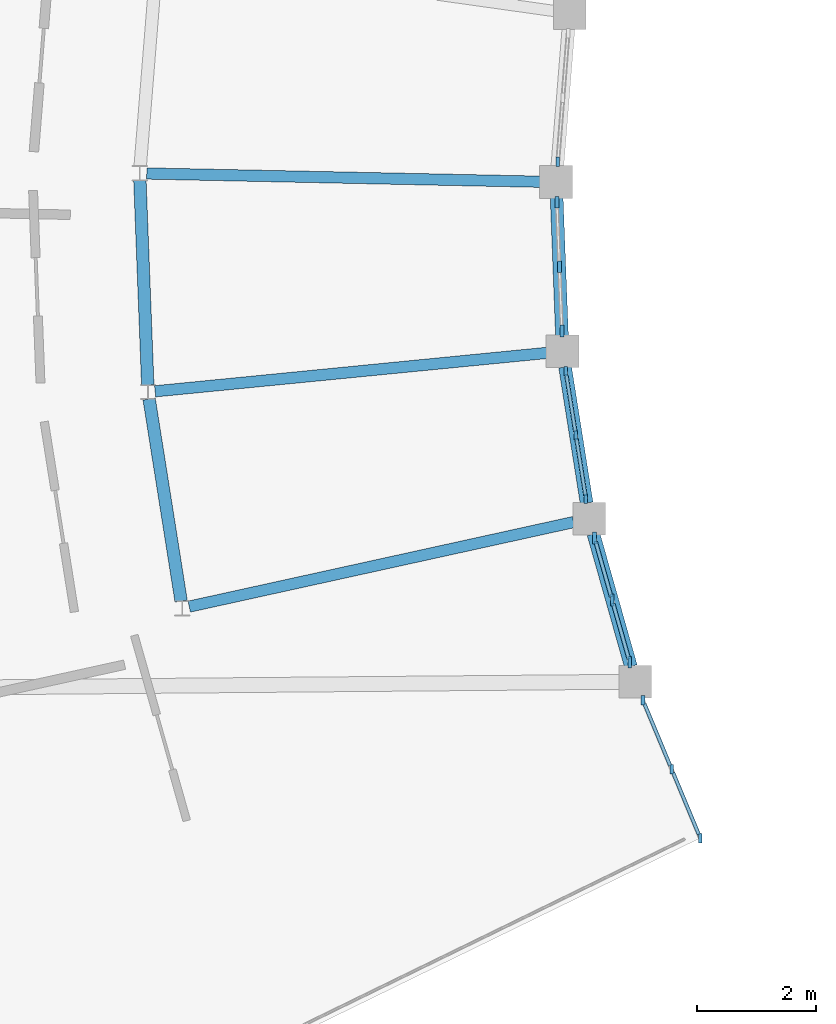
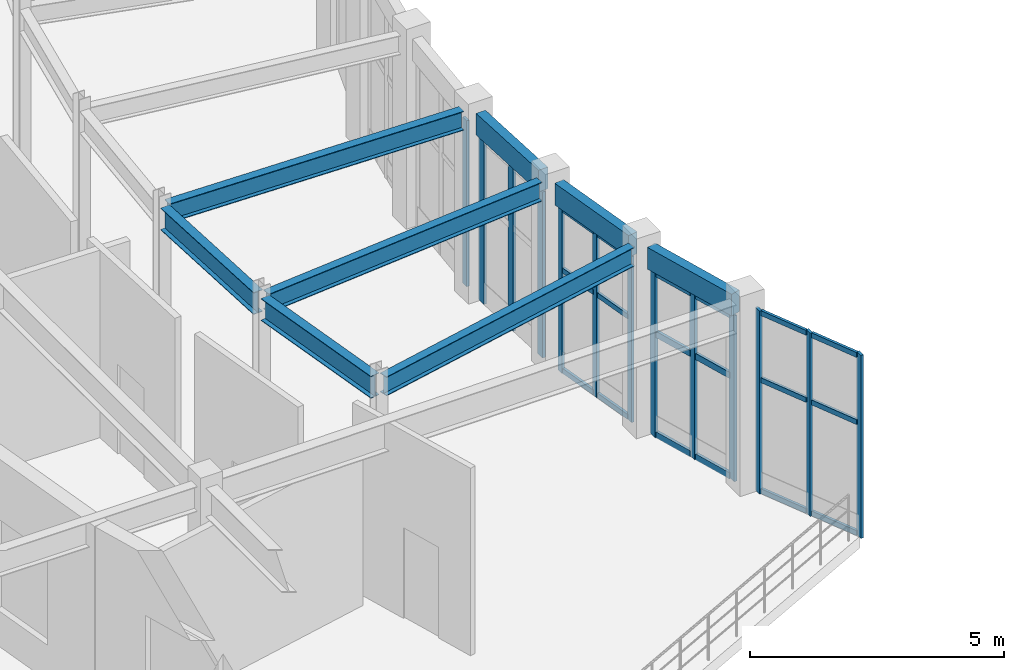
# One storey, part 32 of 144: 31 members, 8 beams, 5 elements without a shape of their own.
"""IFC4 building model written with IfcOpenShell, lengths in metres."""

from ifc_helpers import new_model, si_unit, direction, frame, origin, origin_2d, place, context, subcontext, project, spatial, rectangle, i_section, extrude, material, material_profile, profile_set, type_object, element, aggregate, save


model = new_model("IFC4")

# Units and contexts
model_context = context("Model", 3, precision=1e-05, world=origin(), true_north=direction((0.0, 1.0)))
body_context = subcontext(model_context, "Body", "Model", "MODEL_VIEW")
ifc_project = project(units=[si_unit("LENGTHUNIT", "METRE"), si_unit("AREAUNIT", "SQUARE_METRE"), si_unit("VOLUMEUNIT", "CUBIC_METRE"), si_unit("PLANEANGLEUNIT", "RADIAN"), si_unit("MASSUNIT", "GRAM", prefix="KILO")], contexts=[model_context])

# Site, building, storey
site_placement = place(None, origin())
site = spatial("IfcSite", under=ifc_project, at=site_placement, CompositionType="ELEMENT")
building_placement = place(site_placement, origin())
building = spatial("IfcBuilding", under=site, at=building_placement, Name="Cinderbank Siding Concert Hall", CompositionType="ELEMENT")
storey_placement = place(building_placement, frame((0.0, 0.0, 5.39990234375)))
storey = spatial("IfcBuildingStorey", under=building, at=storey_placement, Name="L02", CompositionType="ELEMENT", Elevation=5.39990234375)

# Beams
ifc_material_1 = material(Name="Structural steel AS/NZS 3679.1 Grade 350 (340 MPa)", Category="steel")
ifc_material_profile_1 = material_profile(ifc_material_1, i_section(OverallWidth=0.18994140625, OverallDepth=0.45751953125, WebThickness=0.009033203125, FlangeThickness=0.014404296875, at=origin_2d()), Name="460UB74.6", Category="LoadBearing")
ifc_profile_set_1 = profile_set([ifc_material_profile_1], Name="Structural steel AS/NZS 3679.1 Grade 350 (340 MPa)")
beam_type_1 = type_object("IfcBeamType", Name="BM-UB460 460UB74.6", PredefinedType="BEAM", material=ifc_profile_set_1)
for number, where, z_axis, x_axis, name in (
    (1, (31.73828125, 68.50830078125, 4.29345703125), (-0.999780889106, 0.020932600869, 0.0), (-0.020932600869, -0.999780889106, 0.0), "L02 Beam BM-UB460 #972"),
    (2, (31.848876953125, 65.6318359375, 4.29345703125), (-0.99522831424, -0.097573574988, 0.0), (0.097573574988, -0.99522831424, 0.0), "L02 Beam BM-UB460 #975"),
    (3, (32.299072265625, 62.7890625, 4.29345703125), (-0.976668476388, -0.214752618679, 0.0), (0.214752618679, -0.976668476388, 0.0), "L02 Beam BM-UB460 #978"),
):
    element("IfcBeam", number, at=place(storey_placement, frame(where, z_axis=z_axis, x_axis=x_axis)), inside=storey, type_object=beam_type_1, Name=name, PredefinedType="BEAM", context=body_context, shape_type="SweptSolid", body=[
        extrude(i_section(OverallWidth=0.18994140625, OverallDepth=0.45751953125, WebThickness=0.009033203125, FlangeThickness=0.014404296875, at=origin_2d()), origin(), (0.0, 0.0, 1.0), 6.613037109375),
    ])
ifc_material_profile_2 = material_profile(ifc_material_1, i_section(OverallWidth=0.208984375, OverallDepth=0.5283203125, WebThickness=0.009521484375, FlangeThickness=0.01318359375, at=origin_2d()), Name="530UB82.0", Category="LoadBearing")
ifc_profile_set_2 = profile_set([ifc_material_profile_2], Name="Structural steel AS/NZS 3679.1 Grade 350 (340 MPa)")
beam_type_2 = type_object("IfcBeamType", Name="BM-UB530 530UB82.0", PredefinedType="BEAM", material=ifc_profile_set_2)
for number, where, z_axis, x_axis, name in (
    (4, (25.011474609375, 68.529296875, 4.258056640625), (0.038356740057, -0.999264109479, 0.0), (0.999264109479, 0.038356740057, 0.0), "L02 Beam BM-UB530 #974"),
    (5, (25.166748046875, 64.8564453125, 4.258056640625), (0.15641120725, -0.987692023986, 0.0), (0.987692023986, 0.15641120725, 0.0), "L02 Beam BM-UB530 #977"),
):
    element("IfcBeam", number, at=place(storey_placement, frame(where, z_axis=z_axis, x_axis=x_axis)), inside=storey, type_object=beam_type_2, Name=name, PredefinedType="BEAM", context=body_context, shape_type="SweptSolid", body=[
        extrude(i_section(OverallWidth=0.208984375, OverallDepth=0.5283203125, WebThickness=0.009521484375, FlangeThickness=0.01318359375, at=origin_2d()), origin(), (0.0, 0.0, 1.0), 3.43701171875),
    ])

# Curtain wall, member
ifc_material_2 = material(Name="Anodised aluminium alloy 6063-T6", Category="aluminium")
curtain_wall_type_1 = type_object("IfcCurtainWallType", Name="CW-13 Unitised Acoustic Curtain Wall 4200x4400", PredefinedType="NOTDEFINED", material=ifc_material_2)
curtain_wall_1_placement = place(storey_placement, origin())
curtain_wall_1 = element("IfcCurtainWall", 6, at=curtain_wall_1_placement, inside=storey, type_object=curtain_wall_type_1, Name="L02 Curtain Wall CW-13 #118", PredefinedType="NOTDEFINED")
ifc_material_profile_3 = material_profile(ifc_material_2, rectangle(XDim=0.06005859375, YDim=0.159912109375, at=origin_2d()), Name="ALU-MULL-60x160", Category="LoadBearing")
ifc_profile_set_3 = profile_set([ifc_material_profile_3], Name="Anodised aluminium alloy 6063-T6")
member_type_1 = type_object("IfcMemberType", Name="CW-ML1 Mullion 60x160", PredefinedType="MULLION", material=ifc_profile_set_3)
member_1_placement = place(storey_placement, frame((32.03271484375, 68.841552734375, 0.0), z_axis=(0.0, 0.0, 1.0), x_axis=(1.0, 0.0, 0.0)))
member_1 = element("IfcMember", 7, at=member_1_placement, type_object=member_type_1, Name="CW-L02-118 Mullion 2", PredefinedType="MULLION", context=body_context, shape_type="SweptSolid", body=[
    extrude(rectangle(XDim=0.06005859375, YDim=0.159912109375, at=origin_2d()), origin(), (0.0, 0.0, 1.0), 3.987060546875),
])
aggregate(curtain_wall_1, [member_1])

# Curtain wall, members
curtain_wall_2_placement = place(storey_placement, origin())
curtain_wall_2 = element("IfcCurtainWall", 8, at=curtain_wall_2_placement, inside=storey, type_object=curtain_wall_type_1, Name="L02 Curtain Wall CW-13 #120", PredefinedType="NOTDEFINED")
member_2_placement = place(storey_placement, frame((32.167724609375, 65.322265625, 0.0), z_axis=(0.0, 0.0, 1.0), x_axis=(1.0, 0.0, 0.0)))
member_2 = element("IfcMember", 9, at=member_2_placement, type_object=member_type_1, Name="CW-L02-120 Mullion 0", PredefinedType="MULLION", context=body_context, shape_type="SweptSolid", body=[
    extrude(rectangle(XDim=0.06005859375, YDim=0.159912109375, at=origin_2d()), origin(), (0.0, 0.0, 1.0), 3.987060546875),
])
member_3_placement = place(storey_placement, frame((32.337158203125, 64.252197265625, 0.0), z_axis=(0.0, 0.0, 1.0), x_axis=(1.0, 0.0, 0.0)))
member_3 = element("IfcMember", 10, at=member_3_placement, type_object=member_type_1, Name="CW-L02-120 Mullion 1", PredefinedType="MULLION", context=body_context, shape_type="SweptSolid", body=[
    extrude(rectangle(XDim=0.06005859375, YDim=0.159912109375, at=origin_2d()), origin(), (0.0, 0.0, 1.0), 3.987060546875),
])
member_4_placement = place(storey_placement, frame((32.506591796875, 63.18212890625, 0.0), z_axis=(0.0, 0.0, 1.0), x_axis=(1.0, 0.0, 0.0)))
member_4 = element("IfcMember", 11, at=member_4_placement, type_object=member_type_1, Name="CW-L02-120 Mullion 2", PredefinedType="MULLION", context=body_context, shape_type="SweptSolid", body=[
    extrude(rectangle(XDim=0.06005859375, YDim=0.159912109375, at=origin_2d()), origin(), (0.0, 0.0, 1.0), 3.987060546875),
])

curtain_wall_3_placement = place(storey_placement, origin())
curtain_wall_3 = element("IfcCurtainWall", 12, at=curtain_wall_3_placement, inside=storey, type_object=curtain_wall_type_1, Name="L02 Curtain Wall CW-13 #122", PredefinedType="NOTDEFINED")
member_5_placement = place(storey_placement, frame((33.4658203125, 59.793212890625, 0.0), z_axis=(0.0, 0.0, 1.0), x_axis=(1.0, 0.0, 0.0)))
member_5 = element("IfcMember", 13, at=member_5_placement, type_object=member_type_1, Name="CW-L02-122 Mullion 0", PredefinedType="MULLION", context=body_context, shape_type="SweptSolid", body=[
    extrude(rectangle(XDim=0.06005859375, YDim=0.159912109375, at=origin_2d()), origin(), (0.0, 0.0, 1.0), 4.400146484375),
])
member_6_placement = place(storey_placement, frame((33.947265625, 58.63623046875, 0.0), z_axis=(0.0, 0.0, 1.0), x_axis=(1.0, 0.0, 0.0)))
member_6 = element("IfcMember", 14, at=member_6_placement, type_object=member_type_1, Name="CW-L02-122 Mullion 1", PredefinedType="MULLION", context=body_context, shape_type="SweptSolid", body=[
    extrude(rectangle(XDim=0.06005859375, YDim=0.159912109375, at=origin_2d()), origin(), (0.0, 0.0, 1.0), 4.400146484375),
])
member_7_placement = place(storey_placement, frame((34.428955078125, 57.47900390625, 0.0), z_axis=(0.0, 0.0, 1.0), x_axis=(1.0, 0.0, 0.0)))
member_7 = element("IfcMember", 15, at=member_7_placement, type_object=member_type_1, Name="CW-L02-122 Mullion 2", PredefinedType="MULLION", context=body_context, shape_type="SweptSolid", body=[
    extrude(rectangle(XDim=0.06005859375, YDim=0.159912109375, at=origin_2d()), origin(), (0.0, 0.0, 1.0), 4.400146484375),
])

curtain_wall_type_2 = type_object("IfcCurtainWallType", Name="CW-14 Unitised Acoustic Curtain Wall 4200x3800", PredefinedType="NOTDEFINED", material=ifc_material_2)
curtain_wall_4_placement = place(storey_placement, origin())
curtain_wall_4 = element("IfcCurtainWall", 16, at=curtain_wall_4_placement, inside=storey, type_object=curtain_wall_type_2, Name="L02 Curtain Wall CW-14 #119", PredefinedType="NOTDEFINED")
ifc_material_profile_4 = material_profile(ifc_material_2, rectangle(XDim=0.06494140625, YDim=0.199951171875, at=origin_2d()), Name="ALU-MULL-65x200", Category="LoadBearing")
ifc_profile_set_4 = profile_set([ifc_material_profile_4], Name="Anodised aluminium alloy 6063-T6")
member_type_2 = type_object("IfcMemberType", Name="CW-ML2 Mullion 65x200", PredefinedType="MULLION", material=ifc_profile_set_4)
member_8_placement = place(storey_placement, frame((32.018310546875, 68.162841796875, 0.0), z_axis=(0.0, 0.0, 1.0), x_axis=(1.0, 0.0, 0.0)))
member_8 = element("IfcMember", 17, at=member_8_placement, type_object=member_type_2, Name="CW-L02-119 Mullion 0", PredefinedType="MULLION", context=body_context, shape_type="SweptSolid", body=[
    extrude(rectangle(XDim=0.06494140625, YDim=0.199951171875, at=origin_2d()), origin(), (0.0, 0.0, 1.0), 3.987060546875),
])
member_9_placement = place(storey_placement, frame((32.059814453125, 67.080322265625, 0.0), z_axis=(0.0, 0.0, 1.0), x_axis=(1.0, 0.0, 0.0)))
member_9 = element("IfcMember", 18, at=member_9_placement, type_object=member_type_2, Name="CW-L02-119 Mullion 1", PredefinedType="MULLION", context=body_context, shape_type="SweptSolid", body=[
    extrude(rectangle(XDim=0.06494140625, YDim=0.199951171875, at=origin_2d()), origin(), (0.0, 0.0, 1.0), 3.987060546875),
])
member_10_placement = place(storey_placement, frame((32.1015625, 65.997802734375, 0.0), z_axis=(0.0, 0.0, 1.0), x_axis=(1.0, 0.0, 0.0)))
member_10 = element("IfcMember", 19, at=member_10_placement, type_object=member_type_2, Name="CW-L02-119 Mullion 2", PredefinedType="MULLION", context=body_context, shape_type="SweptSolid", body=[
    extrude(rectangle(XDim=0.06494140625, YDim=0.199951171875, at=origin_2d()), origin(), (0.0, 0.0, 1.0), 3.987060546875),
])
aggregate(curtain_wall_4, [member_8, member_9, member_10])

curtain_wall_5_placement = place(storey_placement, origin())
curtain_wall_5 = element("IfcCurtainWall", 20, at=curtain_wall_5_placement, inside=storey, type_object=curtain_wall_type_2, Name="L02 Curtain Wall CW-14 #121", PredefinedType="NOTDEFINED")
member_11_placement = place(storey_placement, frame((32.652587890625, 62.519287109375, 0.0), z_axis=(0.0, 0.0, 1.0), x_axis=(1.0, 0.0, 0.0)))
member_11 = element("IfcMember", 21, at=member_11_placement, type_object=member_type_2, Name="CW-L02-121 Mullion 0", PredefinedType="MULLION", context=body_context, shape_type="SweptSolid", body=[
    extrude(rectangle(XDim=0.06494140625, YDim=0.199951171875, at=origin_2d()), origin(), (0.0, 0.0, 1.0), 3.987060546875),
])
member_12_placement = place(storey_placement, frame((32.947509765625, 61.476806640625, 0.0), z_axis=(0.0, 0.0, 1.0), x_axis=(1.0, 0.0, 0.0)))
member_12 = element("IfcMember", 22, at=member_12_placement, type_object=member_type_2, Name="CW-L02-121 Mullion 1", PredefinedType="MULLION", context=body_context, shape_type="SweptSolid", body=[
    extrude(rectangle(XDim=0.06494140625, YDim=0.199951171875, at=origin_2d()), origin(), (0.0, 0.0, 1.0), 3.987060546875),
])
member_13_placement = place(storey_placement, frame((33.242431640625, 60.434326171875, 0.0), z_axis=(0.0, 0.0, 1.0), x_axis=(1.0, 0.0, 0.0)))
member_13 = element("IfcMember", 23, at=member_13_placement, type_object=member_type_2, Name="CW-L02-121 Mullion 2", PredefinedType="MULLION", context=body_context, shape_type="SweptSolid", body=[
    extrude(rectangle(XDim=0.06494140625, YDim=0.199951171875, at=origin_2d()), origin(), (0.0, 0.0, 1.0), 3.987060546875),
])

# Member
ifc_material_profile_5 = material_profile(ifc_material_2, rectangle(XDim=0.06005859375, YDim=0.1201171875, at=origin_2d()), Name="ALU-TRAN-60x120", Category="LoadBearing")
ifc_profile_set_5 = profile_set([ifc_material_profile_5], Name="Anodised aluminium alloy 6063-T6")
member_type_3 = type_object("IfcMemberType", Name="CW-TR1 Transom 60x120", PredefinedType="USERDEFINED", material=ifc_profile_set_5)
member_14_placement = place(storey_placement, frame((32.17626953125, 65.268798828125, 0.06005859375), z_axis=(0.156232564152, -0.987720297401, 0.0), x_axis=(0.987720297401, 0.156232564152, 0.0)))
member_14 = element("IfcMember", 24, at=member_14_placement, type_object=member_type_3, Name="CW-L02-120 Transom 0-0", ObjectType="TRANSOM", PredefinedType="USERDEFINED", context=body_context, shape_type="SweptSolid", body=[
    extrude(rectangle(XDim=0.06005859375, YDim=0.1201171875, at=origin_2d()), origin(), (0.0, 0.0, 1.0), 0.97509765625),
])

member_15_placement = place(storey_placement, frame((32.17626953125, 65.268798828125, 2.471923828125), z_axis=(0.156232564152, -0.987720297401, 0.0), x_axis=(0.987720297401, 0.156232564152, 0.0)))
member_15 = element("IfcMember", 25, at=member_15_placement, type_object=member_type_3, Name="CW-L02-120 Transom 0-1", ObjectType="TRANSOM", PredefinedType="USERDEFINED", context=body_context, shape_type="SweptSolid", body=[
    extrude(rectangle(XDim=0.06005859375, YDim=0.1201171875, at=origin_2d()), origin(), (0.0, 0.0, 1.0), 0.97509765625),
])

member_16_placement = place(storey_placement, frame((32.17626953125, 65.268798828125, 3.927001953125), z_axis=(0.156232564152, -0.987720297401, 0.0), x_axis=(0.987720297401, 0.156232564152, 0.0)))
member_16 = element("IfcMember", 26, at=member_16_placement, type_object=member_type_3, Name="CW-L02-120 Transom 0-2", ObjectType="TRANSOM", PredefinedType="USERDEFINED", context=body_context, shape_type="SweptSolid", body=[
    extrude(rectangle(XDim=0.06005859375, YDim=0.1201171875, at=origin_2d()), origin(), (0.0, 0.0, 1.0), 0.97509765625),
])

member_17_placement = place(storey_placement, frame((32.345703125, 64.19873046875, 0.06005859375), z_axis=(0.156476811261, -0.987681632682, 0.0), x_axis=(0.987681632682, 0.156476811261, 0.0)))
member_17 = element("IfcMember", 27, at=member_17_placement, type_object=member_type_3, Name="CW-L02-120 Transom 1-0", ObjectType="TRANSOM", PredefinedType="USERDEFINED", context=body_context, shape_type="SweptSolid", body=[
    extrude(rectangle(XDim=0.06005859375, YDim=0.1201171875, at=origin_2d()), origin(), (0.0, 0.0, 1.0), 0.97509765625),
])

member_18_placement = place(storey_placement, frame((32.345703125, 64.19873046875, 2.471923828125), z_axis=(0.156476811261, -0.987681632682, 0.0), x_axis=(0.987681632682, 0.156476811261, 0.0)))
member_18 = element("IfcMember", 28, at=member_18_placement, type_object=member_type_3, Name="CW-L02-120 Transom 1-1", ObjectType="TRANSOM", PredefinedType="USERDEFINED", context=body_context, shape_type="SweptSolid", body=[
    extrude(rectangle(XDim=0.06005859375, YDim=0.1201171875, at=origin_2d()), origin(), (0.0, 0.0, 1.0), 0.97509765625),
])

member_19_placement = place(storey_placement, frame((32.345703125, 64.19873046875, 3.927001953125), z_axis=(0.156476811261, -0.987681632682, 0.0), x_axis=(0.987681632682, 0.156476811261, 0.0)))
member_19 = element("IfcMember", 29, at=member_19_placement, type_object=member_type_3, Name="CW-L02-120 Transom 1-2", ObjectType="TRANSOM", PredefinedType="USERDEFINED", context=body_context, shape_type="SweptSolid", body=[
    extrude(rectangle(XDim=0.06005859375, YDim=0.1201171875, at=origin_2d()), origin(), (0.0, 0.0, 1.0), 0.97509765625),
])

aggregate(curtain_wall_2, [member_2, member_3, member_4, member_14, member_15, member_16, member_17, member_18, member_19])

member_20_placement = place(storey_placement, frame((33.48974609375, 59.735595703125, 0.06005859375), z_axis=(0.384154313051, -0.923268901114, 0.0), x_axis=(0.923268901114, 0.384154313051, 0.0)))
member_20 = element("IfcMember", 30, at=member_20_placement, type_object=member_type_3, Name="CW-L02-122 Transom 0-0", ObjectType="TRANSOM", PredefinedType="USERDEFINED", context=body_context, shape_type="SweptSolid", body=[
    extrude(rectangle(XDim=0.06005859375, YDim=0.1201171875, at=origin_2d()), origin(), (0.0, 0.0, 1.0), 1.128173828125),
])

member_21_placement = place(storey_placement, frame((33.48974609375, 59.735595703125, 2.72802734375), z_axis=(0.384154313051, -0.923268901114, 0.0), x_axis=(0.923268901114, 0.384154313051, 0.0)))
member_21 = element("IfcMember", 31, at=member_21_placement, type_object=member_type_3, Name="CW-L02-122 Transom 0-1", ObjectType="TRANSOM", PredefinedType="USERDEFINED", context=body_context, shape_type="SweptSolid", body=[
    extrude(rectangle(XDim=0.06005859375, YDim=0.1201171875, at=origin_2d()), origin(), (0.0, 0.0, 1.0), 1.128173828125),
])

member_22_placement = place(storey_placement, frame((33.48974609375, 59.735595703125, 4.340087890625), z_axis=(0.384154313051, -0.923268901114, 0.0), x_axis=(0.923268901114, 0.384154313051, 0.0)))
member_22 = element("IfcMember", 32, at=member_22_placement, type_object=member_type_3, Name="CW-L02-122 Transom 0-2", ObjectType="TRANSOM", PredefinedType="USERDEFINED", context=body_context, shape_type="SweptSolid", body=[
    extrude(rectangle(XDim=0.06005859375, YDim=0.1201171875, at=origin_2d()), origin(), (0.0, 0.0, 1.0), 1.128173828125),
])

member_23_placement = place(storey_placement, frame((33.971435546875, 58.578369140625, 0.06005859375), z_axis=(0.38423108818, -0.923236952725, 0.0), x_axis=(0.923236952725, 0.38423108818, 0.0)))
member_23 = element("IfcMember", 33, at=member_23_placement, type_object=member_type_3, Name="CW-L02-122 Transom 1-0", ObjectType="TRANSOM", PredefinedType="USERDEFINED", context=body_context, shape_type="SweptSolid", body=[
    extrude(rectangle(XDim=0.06005859375, YDim=0.1201171875, at=origin_2d()), origin(), (0.0, 0.0, 1.0), 1.1279296875),
])

member_24_placement = place(storey_placement, frame((33.971435546875, 58.578369140625, 2.72802734375), z_axis=(0.38423108818, -0.923236952725, 0.0), x_axis=(0.923236952725, 0.38423108818, 0.0)))
member_24 = element("IfcMember", 34, at=member_24_placement, type_object=member_type_3, Name="CW-L02-122 Transom 1-1", ObjectType="TRANSOM", PredefinedType="USERDEFINED", context=body_context, shape_type="SweptSolid", body=[
    extrude(rectangle(XDim=0.06005859375, YDim=0.1201171875, at=origin_2d()), origin(), (0.0, 0.0, 1.0), 1.1279296875),
])

member_25_placement = place(storey_placement, frame((33.971435546875, 58.578369140625, 4.340087890625), z_axis=(0.38423108818, -0.923236952725, 0.0), x_axis=(0.923236952725, 0.38423108818, 0.0)))
member_25 = element("IfcMember", 35, at=member_25_placement, type_object=member_type_3, Name="CW-L02-122 Transom 1-2", ObjectType="TRANSOM", PredefinedType="USERDEFINED", context=body_context, shape_type="SweptSolid", body=[
    extrude(rectangle(XDim=0.06005859375, YDim=0.1201171875, at=origin_2d()), origin(), (0.0, 0.0, 1.0), 1.1279296875),
])

aggregate(curtain_wall_3, [member_5, member_6, member_7, member_20, member_21, member_22, member_23, member_24, member_25])

ifc_material_profile_6 = material_profile(ifc_material_2, rectangle(XDim=0.06494140625, YDim=0.14990234375, at=origin_2d()), Name="ALU-TRAN-65x150", Category="LoadBearing")
ifc_profile_set_6 = profile_set([ifc_material_profile_6], Name="Anodised aluminium alloy 6063-T6")
member_type_4 = type_object("IfcMemberType", Name="CW-TR2 Transom 65x150", PredefinedType="USERDEFINED", material=ifc_profile_set_6)
member_26_placement = place(storey_placement, frame((32.667236328125, 62.467041015625, 0.06005859375), z_axis=(0.272173747162, -0.962248123592, 0.0), x_axis=(0.962248123592, 0.272173747162, 0.0)))
member_26 = element("IfcMember", 36, at=member_26_placement, type_object=member_type_4, Name="CW-L02-121 Transom 0-0", ObjectType="TRANSOM", PredefinedType="USERDEFINED", context=body_context, shape_type="SweptSolid", body=[
    extrude(rectangle(XDim=0.06494140625, YDim=0.14990234375, at=origin_2d()), origin(), (0.0, 0.0, 1.0), 0.97509765625),
])

member_27_placement = place(storey_placement, frame((32.667236328125, 62.467041015625, 2.471923828125), z_axis=(0.272173747162, -0.962248123592, 0.0), x_axis=(0.962248123592, 0.272173747162, 0.0)))
member_27 = element("IfcMember", 37, at=member_27_placement, type_object=member_type_4, Name="CW-L02-121 Transom 0-1", ObjectType="TRANSOM", PredefinedType="USERDEFINED", context=body_context, shape_type="SweptSolid", body=[
    extrude(rectangle(XDim=0.06494140625, YDim=0.14990234375, at=origin_2d()), origin(), (0.0, 0.0, 1.0), 0.97509765625),
])

member_28_placement = place(storey_placement, frame((32.667236328125, 62.467041015625, 3.927001953125), z_axis=(0.272173747162, -0.962248123592, 0.0), x_axis=(0.962248123592, 0.272173747162, 0.0)))
member_28 = element("IfcMember", 38, at=member_28_placement, type_object=member_type_4, Name="CW-L02-121 Transom 0-2", ObjectType="TRANSOM", PredefinedType="USERDEFINED", context=body_context, shape_type="SweptSolid", body=[
    extrude(rectangle(XDim=0.06494140625, YDim=0.14990234375, at=origin_2d()), origin(), (0.0, 0.0, 1.0), 0.97509765625),
])

member_29_placement = place(storey_placement, frame((32.962158203125, 61.4248046875, 0.06005859375), z_axis=(0.272405564774, -0.962182523371, 0.0), x_axis=(0.962182523371, 0.272405564774, 0.0)))
member_29 = element("IfcMember", 39, at=member_29_placement, type_object=member_type_4, Name="CW-L02-121 Transom 1-0", ObjectType="TRANSOM", PredefinedType="USERDEFINED", context=body_context, shape_type="SweptSolid", body=[
    extrude(rectangle(XDim=0.06494140625, YDim=0.14990234375, at=origin_2d()), origin(), (0.0, 0.0, 1.0), 0.97509765625),
])

member_30_placement = place(storey_placement, frame((32.962158203125, 61.4248046875, 2.471923828125), z_axis=(0.272405564774, -0.962182523371, 0.0), x_axis=(0.962182523371, 0.272405564774, 0.0)))
member_30 = element("IfcMember", 40, at=member_30_placement, type_object=member_type_4, Name="CW-L02-121 Transom 1-1", ObjectType="TRANSOM", PredefinedType="USERDEFINED", context=body_context, shape_type="SweptSolid", body=[
    extrude(rectangle(XDim=0.06494140625, YDim=0.14990234375, at=origin_2d()), origin(), (0.0, 0.0, 1.0), 0.97509765625),
])

member_31_placement = place(storey_placement, frame((32.962158203125, 61.4248046875, 3.927001953125), z_axis=(0.272405564774, -0.962182523371, 0.0), x_axis=(0.962182523371, 0.272405564774, 0.0)))
member_31 = element("IfcMember", 41, at=member_31_placement, type_object=member_type_4, Name="CW-L02-121 Transom 1-2", ObjectType="TRANSOM", PredefinedType="USERDEFINED", context=body_context, shape_type="SweptSolid", body=[
    extrude(rectangle(XDim=0.06494140625, YDim=0.14990234375, at=origin_2d()), origin(), (0.0, 0.0, 1.0), 0.97509765625),
])

aggregate(curtain_wall_5, [member_11, member_12, member_13, member_26, member_27, member_28, member_29, member_30, member_31])

# Beams
ifc_material_3 = material(Name="Spotted gum glulam timber GL18 (42 MPa)", Category="wood")
ifc_material_profile_7 = material_profile(ifc_material_3, rectangle(XDim=0.215087890625, YDim=0.52001953125, at=origin_2d()), Name="GL18-215x520", Category="LoadBearing")
ifc_profile_set_7 = profile_set([ifc_material_profile_7], Name="Spotted gum glulam timber GL18 (42 MPa)")
beam_type_3 = type_object("IfcBeamType", Name="SP-GL520 GL18-215x520", PredefinedType="SPANDREL", material=ifc_profile_set_7)
for number, where, z_axis, x_axis, name in (
    (42, (32.015380859375, 68.23583984375, 4.26220703125), (0.038425013846, -0.999261486454, 0.0), (0.999261486454, 0.038425013846, 0.0), "L02 Beam SP-GL520 #973"),
    (43, (32.15625, 65.394287109375, 4.26220703125), (0.15645044565, -0.987685809383, 0.0), (0.987685809383, 0.15645044565, 0.0), "L02 Beam SP-GL520 #976"),
):
    element("IfcBeam", number, at=place(storey_placement, frame(where, z_axis=z_axis, x_axis=x_axis)), inside=storey, type_object=beam_type_3, Name=name, PredefinedType="SPANDREL", context=body_context, shape_type="SweptSolid", body=[
        extrude(rectangle(XDim=0.215087890625, YDim=0.52001953125, at=origin_2d()), origin(), (0.0, 0.0, 1.0), 2.312744140625),
    ])
beam_placement = place(storey_placement, frame((32.632568359375, 62.589599609375, 4.26220703125), z_axis=(0.27222473788, -0.962233699309, 0.0), x_axis=(0.962233699309, 0.27222473788, 0.0)))
element("IfcBeam", 44, at=beam_placement, inside=storey, type_object=beam_type_3, Name="L02 Beam SP-GL520 #979", PredefinedType="SPANDREL", context=body_context, shape_type="SweptSolid", body=[
    extrude(rectangle(XDim=0.215087890625, YDim=0.52001953125, at=origin_2d()), origin(), (0.0, 0.0, 1.0), 2.31298828125),
])

save(model, "model.ifc")
